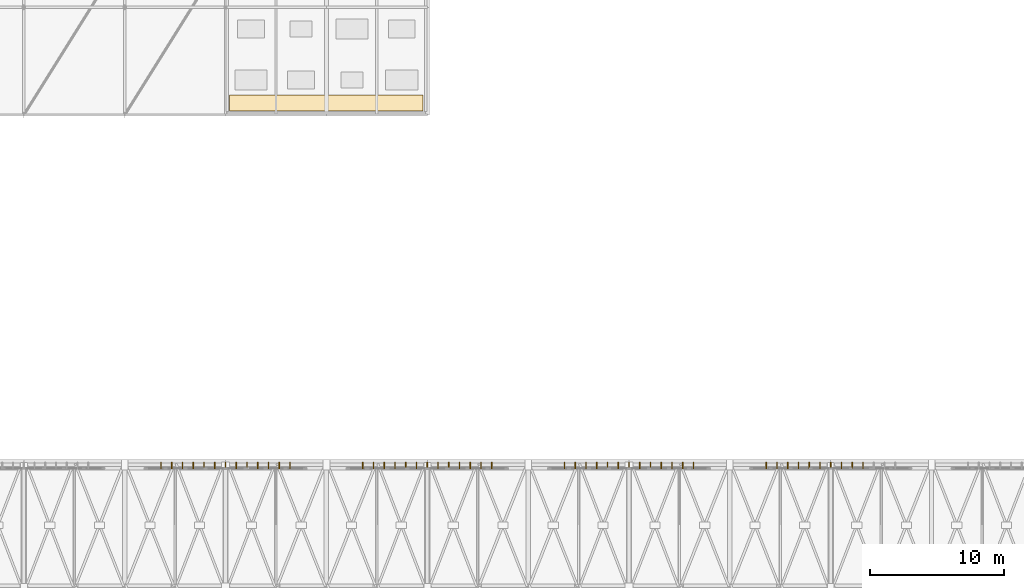
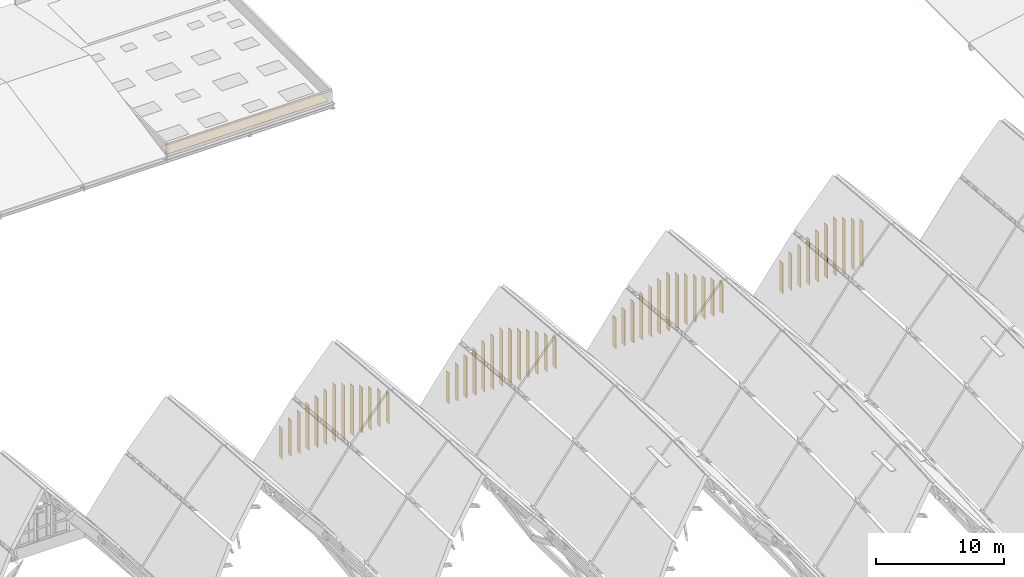
# One storey, part 90 of 93: 49 shading devices, 1 covering.
"""IFC4 building model written with IfcOpenShell, lengths in metres."""

from ifc_helpers import new_model, si_unit, direction, frame, origin, origin_2d, place, context, subcontext, project, spatial, polyline, rectangle, outline, extrude, material, layer, layer_set, material_profile, profile_set, type_object, element, save


model = new_model("IFC4")

# Units and contexts
model_context = context("Model", 3, precision=1e-05, world=origin(), true_north=direction((0.0, 1.0)))
body_context = subcontext(model_context, "Body", "Model", "MODEL_VIEW")
ifc_project = project(units=[si_unit("LENGTHUNIT", "METRE"), si_unit("AREAUNIT", "SQUARE_METRE"), si_unit("VOLUMEUNIT", "CUBIC_METRE"), si_unit("PLANEANGLEUNIT", "RADIAN"), si_unit("MASSUNIT", "GRAM", prefix="KILO")], contexts=[model_context])

# Site, building, storey
site_placement = place(None, origin())
site = spatial("IfcSite", under=ifc_project, at=site_placement, CompositionType="ELEMENT")
building_placement = place(site_placement, origin())
building = spatial("IfcBuilding", under=site, at=building_placement, Name="Vourika Railside Aquatics Centre", CompositionType="ELEMENT")
storey_placement = place(building_placement, frame((0.0, 0.0, 21.89990234375)))
storey = spatial("IfcBuildingStorey", under=building, at=storey_placement, Name="Roof", CompositionType="ELEMENT", Elevation=21.89990234375)

# Covering
ifc_material_1 = material(Name="Anodized aluminium", Category="aluminium")
ifc_layer = layer(ifc_material_1, 0.02490234375, Name="COV-ROOF-SEAM25")
ifc_layer_set = layer_set([ifc_layer], Name="Anodized aluminium")
covering_type = type_object("IfcCoveringType", Name="COV-ROOF-SEAM25", PredefinedType="ROOFING", material=ifc_layer_set)
covering_placement = place(storey_placement, frame((0.0, 0.0, -0.011962890625)))
element("IfcCovering", 1, at=covering_placement, inside=storey, type_object=covering_type, Name="Standing-Seam Aluminium Roof Flashing Strip 1", PredefinedType="ROOFING", context=body_context, shape_type="SweptSolid", body=[
    extrude(outline(polyline([(73.800048828125, 92.300048828125), (88.199951171875, 92.300048828125), (88.199951171875, 93.5), (73.800048828125, 93.5), (73.800048828125, 92.300048828125)])), origin(), (0.0, 0.0, 1.0), 0.025146484375),
])

# Shading devices
ifc_material_2 = material(Name="Bronze-anodized extruded aluminium", Category="aluminium")
ifc_material_profile_1 = material_profile(ifc_material_2, rectangle(XDim=0.06005859375, YDim=0.47998046875, at=origin_2d()), Name="ALU-FIN 60x480")
ifc_profile_set_1 = profile_set([ifc_material_profile_1], Name="Bronze-anodized extruded aluminium")
shading_device_type_1 = type_object("IfcShadingDeviceType", Name="SHD-FIN-F48A", PredefinedType="USERDEFINED", material=ifc_profile_set_1)
shading_device_1_placement = place(storey_placement, frame((68.699951171875, 65.93505859375, -11.099853515625), z_axis=(0.0, 0.0, 1.0), x_axis=(1.0, 0.0, 0.0)))
element("IfcShadingDevice", 2, at=shading_device_1_placement, inside=storey, type_object=shading_device_type_1, Name="Vertical Solar Fin VSF-0053", ObjectType="FIN", PredefinedType="USERDEFINED", context=body_context, shape_type="SweptSolid", body=[
    extrude(rectangle(XDim=0.06005859375, YDim=0.47998046875, at=origin_2d()), origin(), (0.0, 0.0, 1.0), 2.906005859375),
])
shading_device_2_placement = place(storey_placement, frame((69.5, 65.93505859375, -11.099853515625), z_axis=(0.0, 0.0, 1.0), x_axis=(1.0, 0.0, 0.0)))
element("IfcShadingDevice", 3, at=shading_device_2_placement, inside=storey, type_object=shading_device_type_1, Name="Vertical Solar Fin VSF-0054", ObjectType="FIN", PredefinedType="USERDEFINED", context=body_context, shape_type="SweptSolid", body=[
    extrude(rectangle(XDim=0.06005859375, YDim=0.47998046875, at=origin_2d()), origin(), (0.0, 0.0, 1.0), 3.416015625),
])
for number, where, z_axis, x_axis, name in (
    (4, (70.300048828125, 65.93505859375, -11.099853515625), (0.0, 0.0, 1.0), (1.0, 0.0, 0.0), "Vertical Solar Fin VSF-0055"),
    (5, (76.699951171875, 65.93505859375, -11.099853515625), (0.0, 0.0, 1.0), (1.0, 0.0, 0.0), "Vertical Solar Fin VSF-0063"),
):
    element("IfcShadingDevice", number, at=place(storey_placement, frame(where, z_axis=z_axis, x_axis=x_axis)), inside=storey, type_object=shading_device_type_1, Name=name, ObjectType="FIN", PredefinedType="USERDEFINED", context=body_context, shape_type="SweptSolid", body=[
        extrude(rectangle(XDim=0.06005859375, YDim=0.47998046875, at=origin_2d()), origin(), (0.0, 0.0, 1.0), 3.885009765625),
    ])
shading_device_3_placement = place(storey_placement, frame((77.5, 65.93505859375, -11.099853515625), z_axis=(0.0, 0.0, 1.0), x_axis=(1.0, 0.0, 0.0)))
element("IfcShadingDevice", 6, at=shading_device_3_placement, inside=storey, type_object=shading_device_type_1, Name="Vertical Solar Fin VSF-0064", ObjectType="FIN", PredefinedType="USERDEFINED", context=body_context, shape_type="SweptSolid", body=[
    extrude(rectangle(XDim=0.06005859375, YDim=0.47998046875, at=origin_2d()), origin(), (0.0, 0.0, 1.0), 3.416015625),
])
for number, where, z_axis, x_axis, name in (
    (7, (78.300048828125, 65.93505859375, -11.099853515625), (0.0, 0.0, 1.0), (1.0, 0.0, 0.0), "Vertical Solar Fin VSF-0065"),
    (8, (83.699951171875, 65.93505859375, -11.099853515625), (0.0, 0.0, 1.0), (1.0, 0.0, 0.0), "Vertical Solar Fin VSF-0079"),
):
    element("IfcShadingDevice", number, at=place(storey_placement, frame(where, z_axis=z_axis, x_axis=x_axis)), inside=storey, type_object=shading_device_type_1, Name=name, ObjectType="FIN", PredefinedType="USERDEFINED", context=body_context, shape_type="SweptSolid", body=[
        extrude(rectangle(XDim=0.06005859375, YDim=0.47998046875, at=origin_2d()), origin(), (0.0, 0.0, 1.0), 2.906005859375),
    ])
shading_device_4_placement = place(storey_placement, frame((84.5, 65.93505859375, -11.099853515625), z_axis=(0.0, 0.0, 1.0), x_axis=(1.0, 0.0, 0.0)))
element("IfcShadingDevice", 9, at=shading_device_4_placement, inside=storey, type_object=shading_device_type_1, Name="Vertical Solar Fin VSF-0080", ObjectType="FIN", PredefinedType="USERDEFINED", context=body_context, shape_type="SweptSolid", body=[
    extrude(rectangle(XDim=0.06005859375, YDim=0.47998046875, at=origin_2d()), origin(), (0.0, 0.0, 1.0), 3.416015625),
])
for number, where, z_axis, x_axis, name in (
    (10, (85.300048828125, 65.93505859375, -11.099853515625), (0.0, 0.0, 1.0), (1.0, 0.0, 0.0), "Vertical Solar Fin VSF-0081"),
    (11, (91.699951171875, 65.93505859375, -11.099853515625), (0.0, 0.0, 1.0), (1.0, 0.0, 0.0), "Vertical Solar Fin VSF-0089"),
):
    element("IfcShadingDevice", number, at=place(storey_placement, frame(where, z_axis=z_axis, x_axis=x_axis)), inside=storey, type_object=shading_device_type_1, Name=name, ObjectType="FIN", PredefinedType="USERDEFINED", context=body_context, shape_type="SweptSolid", body=[
        extrude(rectangle(XDim=0.06005859375, YDim=0.47998046875, at=origin_2d()), origin(), (0.0, 0.0, 1.0), 3.885009765625),
    ])
shading_device_5_placement = place(storey_placement, frame((92.5, 65.93505859375, -11.099853515625), z_axis=(0.0, 0.0, 1.0), x_axis=(1.0, 0.0, 0.0)))
element("IfcShadingDevice", 12, at=shading_device_5_placement, inside=storey, type_object=shading_device_type_1, Name="Vertical Solar Fin VSF-0090", ObjectType="FIN", PredefinedType="USERDEFINED", context=body_context, shape_type="SweptSolid", body=[
    extrude(rectangle(XDim=0.06005859375, YDim=0.47998046875, at=origin_2d()), origin(), (0.0, 0.0, 1.0), 3.416015625),
])
for number, where, z_axis, x_axis, name in (
    (13, (93.300048828125, 65.93505859375, -11.099853515625), (0.0, 0.0, 1.0), (1.0, 0.0, 0.0), "Vertical Solar Fin VSF-0091"),
    (14, (98.699951171875, 65.93505859375, -11.099853515625), (0.0, 0.0, 1.0), (1.0, 0.0, 0.0), "Vertical Solar Fin VSF-0105"),
):
    element("IfcShadingDevice", number, at=place(storey_placement, frame(where, z_axis=z_axis, x_axis=x_axis)), inside=storey, type_object=shading_device_type_1, Name=name, ObjectType="FIN", PredefinedType="USERDEFINED", context=body_context, shape_type="SweptSolid", body=[
        extrude(rectangle(XDim=0.06005859375, YDim=0.47998046875, at=origin_2d()), origin(), (0.0, 0.0, 1.0), 2.906005859375),
    ])
shading_device_6_placement = place(storey_placement, frame((99.5, 65.93505859375, -11.099853515625), z_axis=(0.0, 0.0, 1.0), x_axis=(1.0, 0.0, 0.0)))
element("IfcShadingDevice", 15, at=shading_device_6_placement, inside=storey, type_object=shading_device_type_1, Name="Vertical Solar Fin VSF-0106", ObjectType="FIN", PredefinedType="USERDEFINED", context=body_context, shape_type="SweptSolid", body=[
    extrude(rectangle(XDim=0.06005859375, YDim=0.47998046875, at=origin_2d()), origin(), (0.0, 0.0, 1.0), 3.416015625),
])
for number, where, z_axis, x_axis, name in (
    (16, (100.300048828125, 65.93505859375, -11.099853515625), (0.0, 0.0, 1.0), (1.0, 0.0, 0.0), "Vertical Solar Fin VSF-0107"),
    (17, (106.699951171875, 65.93505859375, -11.099853515625), (0.0, 0.0, 1.0), (1.0, 0.0, 0.0), "Vertical Solar Fin VSF-0115"),
):
    element("IfcShadingDevice", number, at=place(storey_placement, frame(where, z_axis=z_axis, x_axis=x_axis)), inside=storey, type_object=shading_device_type_1, Name=name, ObjectType="FIN", PredefinedType="USERDEFINED", context=body_context, shape_type="SweptSolid", body=[
        extrude(rectangle(XDim=0.06005859375, YDim=0.47998046875, at=origin_2d()), origin(), (0.0, 0.0, 1.0), 3.885009765625),
    ])
shading_device_7_placement = place(storey_placement, frame((107.5, 65.93505859375, -11.099853515625), z_axis=(0.0, 0.0, 1.0), x_axis=(1.0, 0.0, 0.0)))
element("IfcShadingDevice", 18, at=shading_device_7_placement, inside=storey, type_object=shading_device_type_1, Name="Vertical Solar Fin VSF-0116", ObjectType="FIN", PredefinedType="USERDEFINED", context=body_context, shape_type="SweptSolid", body=[
    extrude(rectangle(XDim=0.06005859375, YDim=0.47998046875, at=origin_2d()), origin(), (0.0, 0.0, 1.0), 3.416015625),
])
for number, where, z_axis, x_axis, name in (
    (19, (108.300048828125, 65.93505859375, -11.099853515625), (0.0, 0.0, 1.0), (1.0, 0.0, 0.0), "Vertical Solar Fin VSF-0117"),
    (20, (113.699951171875, 65.93505859375, -11.099853515625), (0.0, 0.0, 1.0), (1.0, 0.0, 0.0), "Vertical Solar Fin VSF-0131"),
):
    element("IfcShadingDevice", number, at=place(storey_placement, frame(where, z_axis=z_axis, x_axis=x_axis)), inside=storey, type_object=shading_device_type_1, Name=name, ObjectType="FIN", PredefinedType="USERDEFINED", context=body_context, shape_type="SweptSolid", body=[
        extrude(rectangle(XDim=0.06005859375, YDim=0.47998046875, at=origin_2d()), origin(), (0.0, 0.0, 1.0), 2.906005859375),
    ])
shading_device_8_placement = place(storey_placement, frame((114.5, 65.93505859375, -11.099853515625), z_axis=(0.0, 0.0, 1.0), x_axis=(1.0, 0.0, 0.0)))
element("IfcShadingDevice", 21, at=shading_device_8_placement, inside=storey, type_object=shading_device_type_1, Name="Vertical Solar Fin VSF-0132", ObjectType="FIN", PredefinedType="USERDEFINED", context=body_context, shape_type="SweptSolid", body=[
    extrude(rectangle(XDim=0.06005859375, YDim=0.47998046875, at=origin_2d()), origin(), (0.0, 0.0, 1.0), 3.416015625),
])
shading_device_9_placement = place(storey_placement, frame((115.300048828125, 65.93505859375, -11.099853515625), z_axis=(0.0, 0.0, 1.0), x_axis=(1.0, 0.0, 0.0)))
element("IfcShadingDevice", 22, at=shading_device_9_placement, inside=storey, type_object=shading_device_type_1, Name="Vertical Solar Fin VSF-0133", ObjectType="FIN", PredefinedType="USERDEFINED", context=body_context, shape_type="SweptSolid", body=[
    extrude(rectangle(XDim=0.06005859375, YDim=0.47998046875, at=origin_2d()), origin(), (0.0, 0.0, 1.0), 3.885009765625),
])
ifc_material_profile_2 = material_profile(ifc_material_2, rectangle(XDim=0.06005859375, YDim=0.47998046875, at=origin_2d()), Name="ALU-FIN 60x480")
ifc_profile_set_2 = profile_set([ifc_material_profile_2], Name="Bronze-anodized extruded aluminium")
shading_device_type_2 = type_object("IfcShadingDeviceType", Name="SHD-FIN-F48B", PredefinedType="USERDEFINED", material=ifc_profile_set_2)
shading_device_10_placement = place(storey_placement, frame((71.10009765625, 65.93505859375, -11.099853515625), z_axis=(0.0, 0.0, 1.0), x_axis=(1.0, 0.0, 0.0)))
element("IfcShadingDevice", 23, at=shading_device_10_placement, inside=storey, type_object=shading_device_type_2, Name="Vertical Solar Fin VSF-0056", ObjectType="FIN", PredefinedType="USERDEFINED", context=body_context, shape_type="SweptSolid", body=[
    extrude(rectangle(XDim=0.06005859375, YDim=0.47998046875, at=origin_2d()), origin(), (0.0, 0.0, 1.0), 4.31298828125),
])
shading_device_11_placement = place(storey_placement, frame((71.89990234375, 65.93505859375, -11.099853515625), z_axis=(0.0, 0.0, 1.0), x_axis=(1.0, 0.0, 0.0)))
element("IfcShadingDevice", 24, at=shading_device_11_placement, inside=storey, type_object=shading_device_type_2, Name="Vertical Solar Fin VSF-0057", ObjectType="FIN", PredefinedType="USERDEFINED", context=body_context, shape_type="SweptSolid", body=[
    extrude(rectangle(XDim=0.06005859375, YDim=0.47998046875, at=origin_2d()), origin(), (0.0, 0.0, 1.0), 4.699951171875),
])
for number, where, z_axis, x_axis, name in (
    (25, (72.699951171875, 65.93505859375, -11.099853515625), (0.0, 0.0, 1.0), (1.0, 0.0, 0.0), "Vertical Solar Fin VSF-0058"),
    (26, (74.300048828125, 65.93505859375, -11.099853515625), (0.0, 0.0, 1.0), (1.0, 0.0, 0.0), "Vertical Solar Fin VSF-0060"),
):
    element("IfcShadingDevice", number, at=place(storey_placement, frame(where, z_axis=z_axis, x_axis=x_axis)), inside=storey, type_object=shading_device_type_2, Name=name, ObjectType="FIN", PredefinedType="USERDEFINED", context=body_context, shape_type="SweptSolid", body=[
        extrude(rectangle(XDim=0.06005859375, YDim=0.47998046875, at=origin_2d()), origin(), (0.0, 0.0, 1.0), 5.044921875),
    ])
shading_device_12_placement = place(storey_placement, frame((75.10009765625, 65.93505859375, -11.099853515625), z_axis=(0.0, 0.0, 1.0), x_axis=(1.0, 0.0, 0.0)))
element("IfcShadingDevice", 27, at=shading_device_12_placement, inside=storey, type_object=shading_device_type_2, Name="Vertical Solar Fin VSF-0061", ObjectType="FIN", PredefinedType="USERDEFINED", context=body_context, shape_type="SweptSolid", body=[
    extrude(rectangle(XDim=0.06005859375, YDim=0.47998046875, at=origin_2d()), origin(), (0.0, 0.0, 1.0), 4.699951171875),
])
for number, where, z_axis, x_axis, name in (
    (28, (75.89990234375, 65.93505859375, -11.099853515625), (0.0, 0.0, 1.0), (1.0, 0.0, 0.0), "Vertical Solar Fin VSF-0062"),
    (29, (86.10009765625, 65.93505859375, -11.099853515625), (0.0, 0.0, 1.0), (1.0, 0.0, 0.0), "Vertical Solar Fin VSF-0082"),
):
    element("IfcShadingDevice", number, at=place(storey_placement, frame(where, z_axis=z_axis, x_axis=x_axis)), inside=storey, type_object=shading_device_type_2, Name=name, ObjectType="FIN", PredefinedType="USERDEFINED", context=body_context, shape_type="SweptSolid", body=[
        extrude(rectangle(XDim=0.06005859375, YDim=0.47998046875, at=origin_2d()), origin(), (0.0, 0.0, 1.0), 4.31298828125),
    ])
shading_device_13_placement = place(storey_placement, frame((86.89990234375, 65.93505859375, -11.099853515625), z_axis=(0.0, 0.0, 1.0), x_axis=(1.0, 0.0, 0.0)))
element("IfcShadingDevice", 30, at=shading_device_13_placement, inside=storey, type_object=shading_device_type_2, Name="Vertical Solar Fin VSF-0083", ObjectType="FIN", PredefinedType="USERDEFINED", context=body_context, shape_type="SweptSolid", body=[
    extrude(rectangle(XDim=0.06005859375, YDim=0.47998046875, at=origin_2d()), origin(), (0.0, 0.0, 1.0), 4.699951171875),
])
for number, where, z_axis, x_axis, name in (
    (31, (87.699951171875, 65.93505859375, -11.099853515625), (0.0, 0.0, 1.0), (1.0, 0.0, 0.0), "Vertical Solar Fin VSF-0084"),
    (32, (89.300048828125, 65.93505859375, -11.099853515625), (0.0, 0.0, 1.0), (1.0, 0.0, 0.0), "Vertical Solar Fin VSF-0086"),
):
    element("IfcShadingDevice", number, at=place(storey_placement, frame(where, z_axis=z_axis, x_axis=x_axis)), inside=storey, type_object=shading_device_type_2, Name=name, ObjectType="FIN", PredefinedType="USERDEFINED", context=body_context, shape_type="SweptSolid", body=[
        extrude(rectangle(XDim=0.06005859375, YDim=0.47998046875, at=origin_2d()), origin(), (0.0, 0.0, 1.0), 5.044921875),
    ])
shading_device_14_placement = place(storey_placement, frame((90.10009765625, 65.93505859375, -11.099853515625), z_axis=(0.0, 0.0, 1.0), x_axis=(1.0, 0.0, 0.0)))
element("IfcShadingDevice", 33, at=shading_device_14_placement, inside=storey, type_object=shading_device_type_2, Name="Vertical Solar Fin VSF-0087", ObjectType="FIN", PredefinedType="USERDEFINED", context=body_context, shape_type="SweptSolid", body=[
    extrude(rectangle(XDim=0.06005859375, YDim=0.47998046875, at=origin_2d()), origin(), (0.0, 0.0, 1.0), 4.699951171875),
])
for number, where, z_axis, x_axis, name in (
    (34, (90.89990234375, 65.93505859375, -11.099853515625), (0.0, 0.0, 1.0), (1.0, 0.0, 0.0), "Vertical Solar Fin VSF-0088"),
    (35, (101.10009765625, 65.93505859375, -11.099853515625), (0.0, 0.0, 1.0), (1.0, 0.0, 0.0), "Vertical Solar Fin VSF-0108"),
):
    element("IfcShadingDevice", number, at=place(storey_placement, frame(where, z_axis=z_axis, x_axis=x_axis)), inside=storey, type_object=shading_device_type_2, Name=name, ObjectType="FIN", PredefinedType="USERDEFINED", context=body_context, shape_type="SweptSolid", body=[
        extrude(rectangle(XDim=0.06005859375, YDim=0.47998046875, at=origin_2d()), origin(), (0.0, 0.0, 1.0), 4.31298828125),
    ])
shading_device_15_placement = place(storey_placement, frame((101.89990234375, 65.93505859375, -11.099853515625), z_axis=(0.0, 0.0, 1.0), x_axis=(1.0, 0.0, 0.0)))
element("IfcShadingDevice", 36, at=shading_device_15_placement, inside=storey, type_object=shading_device_type_2, Name="Vertical Solar Fin VSF-0109", ObjectType="FIN", PredefinedType="USERDEFINED", context=body_context, shape_type="SweptSolid", body=[
    extrude(rectangle(XDim=0.06005859375, YDim=0.47998046875, at=origin_2d()), origin(), (0.0, 0.0, 1.0), 4.699951171875),
])
for number, where, z_axis, x_axis, name in (
    (37, (102.699951171875, 65.93505859375, -11.099853515625), (0.0, 0.0, 1.0), (1.0, 0.0, 0.0), "Vertical Solar Fin VSF-0110"),
    (38, (104.300048828125, 65.93505859375, -11.099853515625), (0.0, 0.0, 1.0), (1.0, 0.0, 0.0), "Vertical Solar Fin VSF-0112"),
):
    element("IfcShadingDevice", number, at=place(storey_placement, frame(where, z_axis=z_axis, x_axis=x_axis)), inside=storey, type_object=shading_device_type_2, Name=name, ObjectType="FIN", PredefinedType="USERDEFINED", context=body_context, shape_type="SweptSolid", body=[
        extrude(rectangle(XDim=0.06005859375, YDim=0.47998046875, at=origin_2d()), origin(), (0.0, 0.0, 1.0), 5.044921875),
    ])
shading_device_16_placement = place(storey_placement, frame((105.10009765625, 65.93505859375, -11.099853515625), z_axis=(0.0, 0.0, 1.0), x_axis=(1.0, 0.0, 0.0)))
element("IfcShadingDevice", 39, at=shading_device_16_placement, inside=storey, type_object=shading_device_type_2, Name="Vertical Solar Fin VSF-0113", ObjectType="FIN", PredefinedType="USERDEFINED", context=body_context, shape_type="SweptSolid", body=[
    extrude(rectangle(XDim=0.06005859375, YDim=0.47998046875, at=origin_2d()), origin(), (0.0, 0.0, 1.0), 4.699951171875),
])
for number, where, z_axis, x_axis, name in (
    (40, (105.89990234375, 65.93505859375, -11.099853515625), (0.0, 0.0, 1.0), (1.0, 0.0, 0.0), "Vertical Solar Fin VSF-0114"),
    (41, (116.10009765625, 65.93505859375, -11.099853515625), (0.0, 0.0, 1.0), (1.0, 0.0, 0.0), "Vertical Solar Fin VSF-0134"),
):
    element("IfcShadingDevice", number, at=place(storey_placement, frame(where, z_axis=z_axis, x_axis=x_axis)), inside=storey, type_object=shading_device_type_2, Name=name, ObjectType="FIN", PredefinedType="USERDEFINED", context=body_context, shape_type="SweptSolid", body=[
        extrude(rectangle(XDim=0.06005859375, YDim=0.47998046875, at=origin_2d()), origin(), (0.0, 0.0, 1.0), 4.31298828125),
    ])
shading_device_17_placement = place(storey_placement, frame((116.89990234375, 65.93505859375, -11.099853515625), z_axis=(0.0, 0.0, 1.0), x_axis=(1.0, 0.0, 0.0)))
element("IfcShadingDevice", 42, at=shading_device_17_placement, inside=storey, type_object=shading_device_type_2, Name="Vertical Solar Fin VSF-0135", ObjectType="FIN", PredefinedType="USERDEFINED", context=body_context, shape_type="SweptSolid", body=[
    extrude(rectangle(XDim=0.06005859375, YDim=0.47998046875, at=origin_2d()), origin(), (0.0, 0.0, 1.0), 4.699951171875),
])
for number, where, z_axis, x_axis, name in (
    (43, (117.699951171875, 65.93505859375, -11.099853515625), (0.0, 0.0, 1.0), (1.0, 0.0, 0.0), "Vertical Solar Fin VSF-0136"),
    (44, (119.300048828125, 65.93505859375, -11.099853515625), (0.0, 0.0, 1.0), (1.0, 0.0, 0.0), "Vertical Solar Fin VSF-0138"),
):
    element("IfcShadingDevice", number, at=place(storey_placement, frame(where, z_axis=z_axis, x_axis=x_axis)), inside=storey, type_object=shading_device_type_2, Name=name, ObjectType="FIN", PredefinedType="USERDEFINED", context=body_context, shape_type="SweptSolid", body=[
        extrude(rectangle(XDim=0.06005859375, YDim=0.47998046875, at=origin_2d()), origin(), (0.0, 0.0, 1.0), 5.044921875),
    ])
shading_device_18_placement = place(storey_placement, frame((120.10009765625, 65.93505859375, -11.099853515625), z_axis=(0.0, 0.0, 1.0), x_axis=(1.0, 0.0, 0.0)))
element("IfcShadingDevice", 45, at=shading_device_18_placement, inside=storey, type_object=shading_device_type_2, Name="Vertical Solar Fin VSF-0139", ObjectType="FIN", PredefinedType="USERDEFINED", context=body_context, shape_type="SweptSolid", body=[
    extrude(rectangle(XDim=0.06005859375, YDim=0.47998046875, at=origin_2d()), origin(), (0.0, 0.0, 1.0), 4.699951171875),
])
shading_device_19_placement = place(storey_placement, frame((120.89990234375, 65.93505859375, -11.099853515625), z_axis=(0.0, 0.0, 1.0), x_axis=(1.0, 0.0, 0.0)))
element("IfcShadingDevice", 46, at=shading_device_19_placement, inside=storey, type_object=shading_device_type_2, Name="Vertical Solar Fin VSF-0140", ObjectType="FIN", PredefinedType="USERDEFINED", context=body_context, shape_type="SweptSolid", body=[
    extrude(rectangle(XDim=0.06005859375, YDim=0.47998046875, at=origin_2d()), origin(), (0.0, 0.0, 1.0), 4.31298828125),
])
ifc_material_profile_3 = material_profile(ifc_material_2, rectangle(XDim=0.06005859375, YDim=0.47998046875, at=origin_2d()), Name="ALU-FIN 60x480")
ifc_profile_set_3 = profile_set([ifc_material_profile_3], Name="Bronze-anodized extruded aluminium")
shading_device_type_3 = type_object("IfcShadingDeviceType", Name="SHD-FIN-F48C", PredefinedType="USERDEFINED", material=ifc_profile_set_3)
for number, where, z_axis, x_axis, name in (
    (47, (73.5, 65.93505859375, -11.099853515625), (0.0, 0.0, 1.0), (1.0, 0.0, 0.0), "Vertical Solar Fin VSF-0059"),
    (48, (88.5, 65.93505859375, -11.099853515625), (0.0, 0.0, 1.0), (1.0, 0.0, 0.0), "Vertical Solar Fin VSF-0085"),
    (49, (103.5, 65.93505859375, -11.099853515625), (0.0, 0.0, 1.0), (1.0, 0.0, 0.0), "Vertical Solar Fin VSF-0111"),
    (50, (118.5, 65.93505859375, -11.099853515625), (0.0, 0.0, 1.0), (1.0, 0.0, 0.0), "Vertical Solar Fin VSF-0137"),
):
    element("IfcShadingDevice", number, at=place(storey_placement, frame(where, z_axis=z_axis, x_axis=x_axis)), inside=storey, type_object=shading_device_type_3, Name=name, ObjectType="FIN", PredefinedType="USERDEFINED", context=body_context, shape_type="SweptSolid", body=[
        extrude(rectangle(XDim=0.06005859375, YDim=0.47998046875, at=origin_2d()), origin(), (0.0, 0.0, 1.0), 5.349853515625),
    ])

save(model, "model.ifc")
